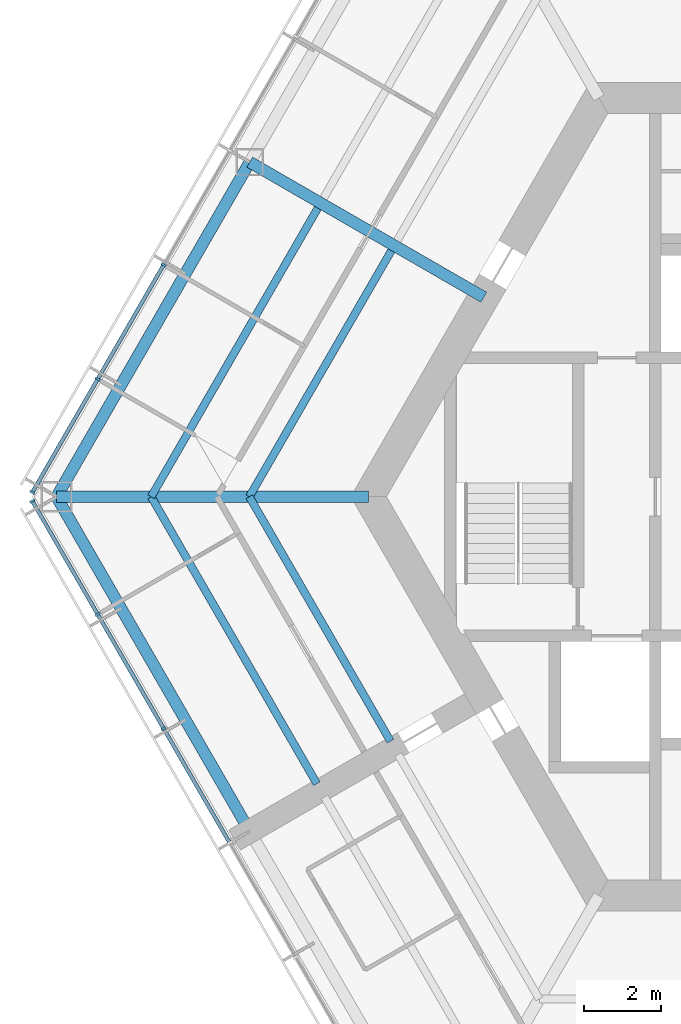
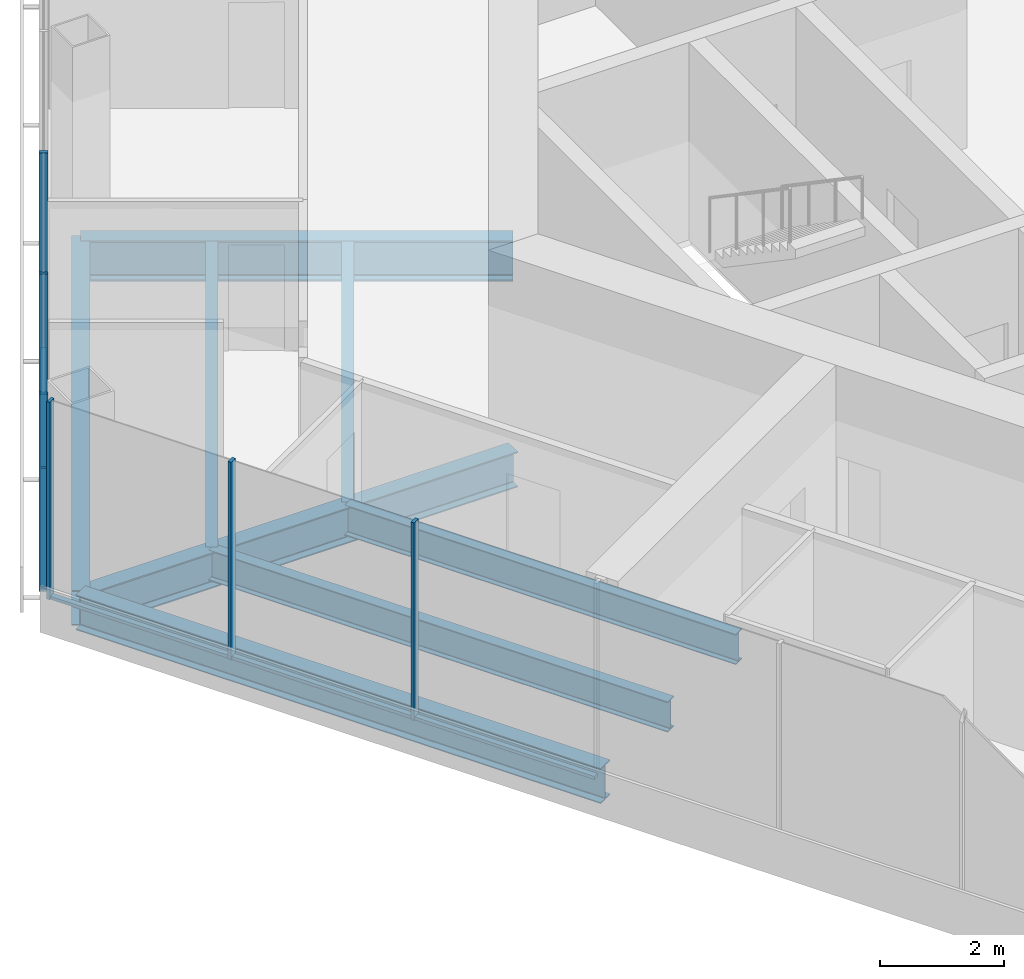
# One storey, part 3 of 16: 11 members, 8 beams, 2 elements without a shape of their own.
"""IFC4 building model written with IfcOpenShell, lengths in metres."""

from ifc_helpers import new_model, si_unit, direction, frame, origin, origin_2d, place, context, subcontext, project, spatial, rectangle, i_section, extrude, material, material_profile, profile_set, type_object, element, aggregate, save


model = new_model("IFC4")

# Units and contexts
model_context = context("Model", 3, precision=1e-05, world=origin(), true_north=direction((0.0, 1.0)))
body_context = subcontext(model_context, "Body", "Model", "MODEL_VIEW")
ifc_project = project(units=[si_unit("LENGTHUNIT", "METRE"), si_unit("AREAUNIT", "SQUARE_METRE"), si_unit("VOLUMEUNIT", "CUBIC_METRE"), si_unit("PLANEANGLEUNIT", "RADIAN"), si_unit("MASSUNIT", "GRAM", prefix="KILO")], contexts=[model_context])

# Site, building, storey
site_placement = place(None, origin())
site = spatial("IfcSite", under=ifc_project, at=site_placement, CompositionType="ELEMENT")
building_placement = place(site_placement, origin())
building = spatial("IfcBuilding", under=site, at=building_placement, Name="Kasaneha Research Tower", CompositionType="ELEMENT")
storey_placement = place(building_placement, frame((0.0, 0.0, 247.89990234375)))
storey = spatial("IfcBuildingStorey", under=building, at=storey_placement, Name="L62", CompositionType="ELEMENT", Elevation=247.89990234375)

# Beams
ifc_material_1 = material(Name="Steel SN490B", Category="steel")
ifc_material_profile_1 = material_profile(ifc_material_1, i_section(OverallWidth=0.199951171875, OverallDepth=0.60009765625, WebThickness=0.010986328125, FlangeThickness=0.01708984375, FilletRadius=0.012939453125, at=origin_2d()), Name="H-600x200x11x17")
ifc_profile_set_1 = profile_set([ifc_material_profile_1], Name="Steel SN490B")
beam_type_1 = type_object("IfcBeamType", Name="B1-3 secondary beam H-600x200x11x17", PredefinedType="JOIST", material=ifc_profile_set_1)
beam_1_placement = place(storey_placement, frame((-15.010986328125, 0.0, -0.449951171875), z_axis=(0.499994443168, 0.866028611999, 0.0), x_axis=(-0.866028611999, 0.499994443168, 0.0)))
element("IfcBeam", 1, at=beam_1_placement, inside=storey, type_object=beam_type_1, Name="Secondary beam RS150R1 L62", PredefinedType="JOIST", context=body_context, shape_type="SweptSolid", body=[
    extrude(i_section(OverallWidth=0.199951171875, OverallDepth=0.60009765625, WebThickness=0.010986328125, FlangeThickness=0.01708984375, FilletRadius=0.012939453125, at=origin_2d()), origin(), (0.0, 0.0, 1.0), 7.35546875),
])
beam_2_placement = place(storey_placement, frame((-17.551513671875, 0.0, -0.449951171875), z_axis=(0.5000050195, 0.866022505755, 0.0), x_axis=(-0.866022505755, 0.5000050195, 0.0)))
element("IfcBeam", 2, at=beam_2_placement, inside=storey, type_object=beam_type_1, Name="Secondary beam RS150R2 L62", PredefinedType="JOIST", context=body_context, shape_type="SweptSolid", body=[
    extrude(i_section(OverallWidth=0.199951171875, OverallDepth=0.60009765625, WebThickness=0.010986328125, FlangeThickness=0.01708984375, FilletRadius=0.012939453125, at=origin_2d()), origin(), (0.0, 0.0, 1.0), 8.6259765625),
])
beam_3_placement = place(storey_placement, frame((-15.010986328125, 0.0, -0.449951171875), z_axis=(0.499974128195, -0.866040340363, 0.0), x_axis=(0.866040340363, 0.499974128195, 0.0)))
element("IfcBeam", 3, at=beam_3_placement, inside=storey, type_object=beam_type_1, Name="Secondary beam RS210L1 L62", PredefinedType="JOIST", context=body_context, shape_type="SweptSolid", body=[
    extrude(i_section(OverallWidth=0.199951171875, OverallDepth=0.60009765625, WebThickness=0.010986328125, FlangeThickness=0.01708984375, FilletRadius=0.012939453125, at=origin_2d()), origin(), (0.0, 0.0, 1.0), 7.3056640625),
])
beam_4_placement = place(storey_placement, frame((-17.551513671875, 0.0, -0.449951171875), z_axis=(0.500000102728, -0.866025344474, 0.0), x_axis=(0.866025344474, 0.500000102728, 0.0)))
element("IfcBeam", 4, at=beam_4_placement, inside=storey, type_object=beam_type_1, Name="Secondary beam RS210L2 L62", PredefinedType="JOIST", context=body_context, shape_type="SweptSolid", body=[
    extrude(i_section(OverallWidth=0.199951171875, OverallDepth=0.60009765625, WebThickness=0.010986328125, FlangeThickness=0.01708984375, FilletRadius=0.012939453125, at=origin_2d()), origin(), (0.0, 0.0, 1.0), 8.57568359375),
])

# Curtain wall, members
ifc_material_2 = material(Name="Glass and aluminium", Category="aluminium")
curtain_wall_type = type_object("IfcCurtainWallType", Name="High-rise office curtain wall", PredefinedType="USERDEFINED", material=ifc_material_2)
curtain_wall_1_placement = place(storey_placement, origin())
curtain_wall_1 = element("IfcCurtainWall", 5, at=curtain_wall_1_placement, inside=storey, type_object=curtain_wall_type, Name="CW-O3 L62 run 03a", ObjectType="UNITISED CURTAIN WALL", PredefinedType="USERDEFINED")
ifc_material_3 = material(Name="Aluminium 6063-T6", Category="aluminium")
ifc_material_profile_2 = material_profile(ifc_material_3, rectangle(XDim=0.06005859375, YDim=0.139892578125, at=origin_2d()), Name="CW-O3 mullion 60x140")
ifc_profile_set_2 = profile_set([ifc_material_profile_2], Name="Aluminium 6063-T6")
member_type_1 = type_object("IfcMemberType", Name="CW-O3 mullion", PredefinedType="MULLION", material=ifc_profile_set_2)
member_1_placement = place(storey_placement, frame((-17.227294921875, 6.00244140625, 0.0), z_axis=(0.0, 0.0, 1.0), x_axis=(-0.499999995722, -0.866025406254, 0.0)))
member_1 = element("IfcMember", 6, at=member_1_placement, type_object=member_type_1, Name="CW-O3 mullion 5", PredefinedType="MULLION", context=body_context, shape_type="SweptSolid", body=[
    extrude(rectangle(XDim=0.06005859375, YDim=0.139892578125, at=origin_2d()), origin(), (0.0, 0.0, 1.0), 3.900146484375),
])
member_2_placement = place(storey_placement, frame((-18.93505859375, 3.04443359375, 0.0), z_axis=(0.0, 0.0, 1.0), x_axis=(-0.499999995722, -0.866025406254, 0.0)))
member_2 = element("IfcMember", 7, at=member_2_placement, type_object=member_type_1, Name="CW-O3 mullion 6", PredefinedType="MULLION", context=body_context, shape_type="SweptSolid", body=[
    extrude(rectangle(XDim=0.06005859375, YDim=0.139892578125, at=origin_2d()), origin(), (0.0, 0.0, 1.0), 3.900146484375),
])
member_3_placement = place(storey_placement, frame((-20.6279296875, 0.112548828125, 0.0), z_axis=(0.0, 0.0, 1.0), x_axis=(-0.499999995722, -0.866025406254, 0.0)))
member_3 = element("IfcMember", 8, at=member_3_placement, type_object=member_type_1, Name="CW-O3 mullion 7", PredefinedType="MULLION", context=body_context, shape_type="SweptSolid", body=[
    extrude(rectangle(XDim=0.06005859375, YDim=0.139892578125, at=origin_2d()), origin(), (0.0, 0.0, 1.0), 3.900146484375),
])

curtain_wall_2_placement = place(storey_placement, origin())
curtain_wall_2 = element("IfcCurtainWall", 9, at=curtain_wall_2_placement, inside=storey, type_object=curtain_wall_type, Name="CW-O3 L62 run 04a", ObjectType="UNITISED CURTAIN WALL", PredefinedType="USERDEFINED")
member_4_placement = place(storey_placement, frame((-20.6279296875, -0.112548828125, 0.0), z_axis=(0.0, 0.0, 1.0), x_axis=(0.499999995722, -0.866025406254, 0.0)))
member_4 = element("IfcMember", 10, at=member_4_placement, type_object=member_type_1, Name="CW-O3 mullion 1", PredefinedType="MULLION", context=body_context, shape_type="SweptSolid", body=[
    extrude(rectangle(XDim=0.06005859375, YDim=0.139892578125, at=origin_2d()), origin(), (0.0, 0.0, 1.0), 3.900146484375),
])
member_5_placement = place(storey_placement, frame((-18.93505859375, -3.04443359375, 0.0), z_axis=(0.0, 0.0, 1.0), x_axis=(0.499999995722, -0.866025406254, 0.0)))
member_5 = element("IfcMember", 11, at=member_5_placement, type_object=member_type_1, Name="CW-O3 mullion 2", PredefinedType="MULLION", context=body_context, shape_type="SweptSolid", body=[
    extrude(rectangle(XDim=0.06005859375, YDim=0.139892578125, at=origin_2d()), origin(), (0.0, 0.0, 1.0), 3.900146484375),
])
member_6_placement = place(storey_placement, frame((-17.227294921875, -6.00244140625, 0.0), z_axis=(0.0, 0.0, 1.0), x_axis=(0.499999995722, -0.866025406254, 0.0)))
member_6 = element("IfcMember", 12, at=member_6_placement, type_object=member_type_1, Name="CW-O3 mullion 3", PredefinedType="MULLION", context=body_context, shape_type="SweptSolid", body=[
    extrude(rectangle(XDim=0.06005859375, YDim=0.139892578125, at=origin_2d()), origin(), (0.0, 0.0, 1.0), 3.900146484375),
])

# Member
ifc_material_4 = material(Name="Aluminium 6063-T6", Category="aluminium")
ifc_material_profile_3 = material_profile(ifc_material_4, rectangle(XDim=0.10009765625, YDim=0.06005859375, at=origin_2d()), Name="CW-O3 transom 100x60")
ifc_profile_set_3 = profile_set([ifc_material_profile_3], Name="Aluminium 6063-T6")
member_type_2 = type_object("IfcMemberType", Name="CW-O3 transom", PredefinedType="USERDEFINED", material=ifc_profile_set_3)
member_7_placement = place(storey_placement, frame((-17.242431640625, 5.976318359375, 0.030029296875), z_axis=(-0.500020578564, -0.866013522419, 0.0), x_axis=(0.866013522419, -0.500020578564, 0.0)))
member_7 = element("IfcMember", 13, at=member_7_placement, type_object=member_type_2, Name="CW-O3 transom 5", ObjectType="TRANSOM", PredefinedType="USERDEFINED", context=body_context, shape_type="SweptSolid", body=[
    extrude(rectangle(XDim=0.10009765625, YDim=0.06005859375, at=origin_2d()), origin(), (0.0, 0.0, 1.0), 3.355224609375),
])

member_8_placement = place(storey_placement, frame((-18.9501953125, 3.0185546875, 0.030029296875), z_axis=(-0.49997666526, -0.866038875684, 0.0), x_axis=(0.866038875684, -0.49997666526, 0.0)))
member_8 = element("IfcMember", 14, at=member_8_placement, type_object=member_type_2, Name="CW-O3 transom 6", ObjectType="TRANSOM", PredefinedType="USERDEFINED", context=body_context, shape_type="SweptSolid", body=[
    extrude(rectangle(XDim=0.10009765625, YDim=0.06005859375, at=origin_2d()), origin(), (0.0, 0.0, 1.0), 3.325439453125),
])

aggregate(curtain_wall_1, [member_1, member_2, member_3, member_7, member_8])

member_9_placement = place(storey_placement, frame((-20.61279296875, -0.138671875, 0.030029296875), z_axis=(0.49997666526, -0.866038875684, 0.0), x_axis=(0.866038875684, 0.49997666526, 0.0)))
member_9 = element("IfcMember", 15, at=member_9_placement, type_object=member_type_2, Name="CW-O3 transom 1", ObjectType="TRANSOM", PredefinedType="USERDEFINED", context=body_context, shape_type="SweptSolid", body=[
    extrude(rectangle(XDim=0.10009765625, YDim=0.06005859375, at=origin_2d()), origin(), (0.0, 0.0, 1.0), 3.325439453125),
])

member_10_placement = place(storey_placement, frame((-18.920166015625, -3.070556640625, 0.030029296875), z_axis=(0.500020578564, -0.866013522419, 0.0), x_axis=(0.866013522419, 0.500020578564, 0.0)))
member_10 = element("IfcMember", 16, at=member_10_placement, type_object=member_type_2, Name="CW-O3 transom 2", ObjectType="TRANSOM", PredefinedType="USERDEFINED", context=body_context, shape_type="SweptSolid", body=[
    extrude(rectangle(XDim=0.10009765625, YDim=0.06005859375, at=origin_2d()), origin(), (0.0, 0.0, 1.0), 3.355224609375),
])

member_11_placement = place(storey_placement, frame((-17.21240234375, -6.0283203125, 0.030029296875), z_axis=(0.499989072476, -0.866031712701, 0.0), x_axis=(0.866031712701, 0.499989072476, 0.0)))
member_11 = element("IfcMember", 17, at=member_11_placement, type_object=member_type_2, Name="CW-O3 transom 3", ObjectType="TRANSOM", PredefinedType="USERDEFINED", context=body_context, shape_type="SweptSolid", body=[
    extrude(rectangle(XDim=0.10009765625, YDim=0.06005859375, at=origin_2d()), origin(), (0.0, 0.0, 1.0), 3.35546875),
])

aggregate(curtain_wall_2, [member_4, member_5, member_6, member_9, member_10, member_11])

# Beams
ifc_material_5 = material(Name="Steel SN490B", Category="steel")
ifc_material_profile_4 = material_profile(ifc_material_5, i_section(OverallWidth=0.300048828125, OverallDepth=0.699951171875, WebThickness=0.012939453125, FlangeThickness=0.02392578125, FilletRadius=0.01806640625, at=origin_2d()), Name="H-700x300x13x24")
ifc_profile_set_4 = profile_set([ifc_material_profile_4], Name="Steel SN490B")
beam_type_2 = type_object("IfcBeamType", Name="G1-3 radial girder H-700x300x13x24", PredefinedType="BEAM", material=ifc_profile_set_4)
beam_5_placement = place(storey_placement, frame((-11.92236328125, 0.0, -0.5), z_axis=(-1.0, 0.0, 0.0), x_axis=(0.0, -1.0, 0.0)))
element("IfcBeam", 18, at=beam_5_placement, inside=storey, type_object=beam_type_2, Name="Radial girder RV180 L62", PredefinedType="BEAM", context=body_context, shape_type="SweptSolid", body=[
    extrude(i_section(OverallWidth=0.300048828125, OverallDepth=0.699951171875, WebThickness=0.012939453125, FlangeThickness=0.02392578125, FilletRadius=0.01806640625, at=origin_2d()), origin(), (0.0, 0.0, 1.0), 8.07763671875),
])
ifc_material_6 = material(Name="Steel SN490B", Category="steel")
ifc_material_profile_5 = material_profile(ifc_material_6, i_section(OverallWidth=0.300048828125, OverallDepth=0.800048828125, WebThickness=0.013916015625, FlangeThickness=0.02587890625, FilletRadius=0.01806640625, at=origin_2d()), Name="H-800x300x14x26")
ifc_profile_set_5 = profile_set([ifc_material_profile_5], Name="Steel SN490B")
beam_type_3 = type_object("IfcBeamType", Name="G2-3 radial girder H-800x300x14x26", PredefinedType="BEAM", material=ifc_profile_set_5)
beam_6_placement = place(storey_placement, frame((-8.941650390625, 5.16259765625, -0.5498046875), z_axis=(-0.866039713508, 0.499975214012, 0.0), x_axis=(-0.499975214012, -0.866039713508, 0.0)))
element("IfcBeam", 19, at=beam_6_placement, inside=storey, type_object=beam_type_3, Name="Radial girder RM150 L62", PredefinedType="BEAM", context=body_context, shape_type="SweptSolid", body=[
    extrude(i_section(OverallWidth=0.300048828125, OverallDepth=0.800048828125, WebThickness=0.013916015625, FlangeThickness=0.02587890625, FilletRadius=0.01806640625, at=origin_2d()), origin(), (0.0, 0.0, 1.0), 6.995361328125),
])
ifc_material_7 = material(Name="Steel SN490B", Category="steel")
ifc_material_profile_6 = material_profile(ifc_material_7, i_section(OverallWidth=0.300048828125, OverallDepth=0.69189453125, WebThickness=0.012939453125, FlangeThickness=0.02001953125, FilletRadius=0.01806640625, at=origin_2d()), Name="H-692x300x13x20")
ifc_profile_set_6 = profile_set([ifc_material_profile_6], Name="Steel SN490B")
beam_type_4 = type_object("IfcBeamType", Name="G3-3 plate edge girder H-692x300x13x20", PredefinedType="BEAM", material=ifc_profile_set_6)
beam_7_placement = place(storey_placement, frame((-20.0, 0.0, -0.495849609375), z_axis=(0.49999201416, -0.866030014362, 0.0), x_axis=(0.866030014362, 0.49999201416, 0.0)))
element("IfcBeam", 20, at=beam_7_placement, inside=storey, type_object=beam_type_4, Name="Plate edge girder PEBP L62", PredefinedType="BEAM", context=body_context, shape_type="SweptSolid", body=[
    extrude(i_section(OverallWidth=0.300048828125, OverallDepth=0.69189453125, WebThickness=0.012939453125, FlangeThickness=0.02001953125, FilletRadius=0.01806640625, at=origin_2d()), origin(), (0.0, 0.0, 1.0), 9.800048828125),
])
ifc_material_8 = material(Name="Steel SN490B", Category="steel")
ifc_material_profile_7 = material_profile(ifc_material_8, i_section(OverallWidth=0.300048828125, OverallDepth=0.69189453125, WebThickness=0.012939453125, FlangeThickness=0.02001953125, FilletRadius=0.01806640625, at=origin_2d()), Name="H-692x300x13x20")
ifc_profile_set_7 = profile_set([ifc_material_profile_7], Name="Steel SN490B")
beam_type_5 = type_object("IfcBeamType", Name="SB1-3 spandrel beam H-692x300x13x20", PredefinedType="SPANDREL", material=ifc_profile_set_7)
beam_8_placement = place(storey_placement, frame((-20.0, 0.0, -0.495849609375), z_axis=(0.500004234368, 0.866022959057, 0.0), x_axis=(-0.866022959057, 0.500004234368, 0.0)))
element("IfcBeam", 21, at=beam_8_placement, inside=storey, type_object=beam_type_5, Name="Spandrel beam SR150R L62", PredefinedType="SPANDREL", context=body_context, shape_type="SweptSolid", body=[
    extrude(i_section(OverallWidth=0.300048828125, OverallDepth=0.69189453125, WebThickness=0.012939453125, FlangeThickness=0.02001953125, FilletRadius=0.01806640625, at=origin_2d()), origin(), (0.0, 0.0, 1.0), 10.0),
])

save(model, "model.ifc")
